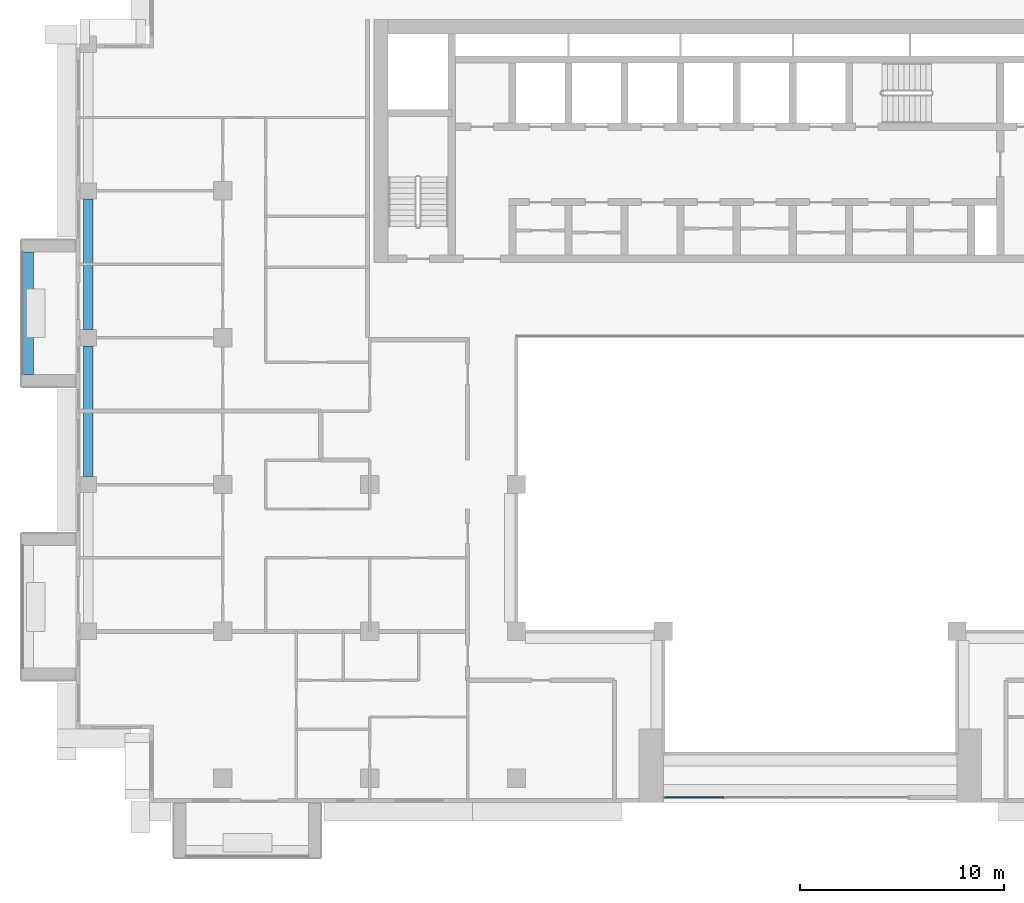
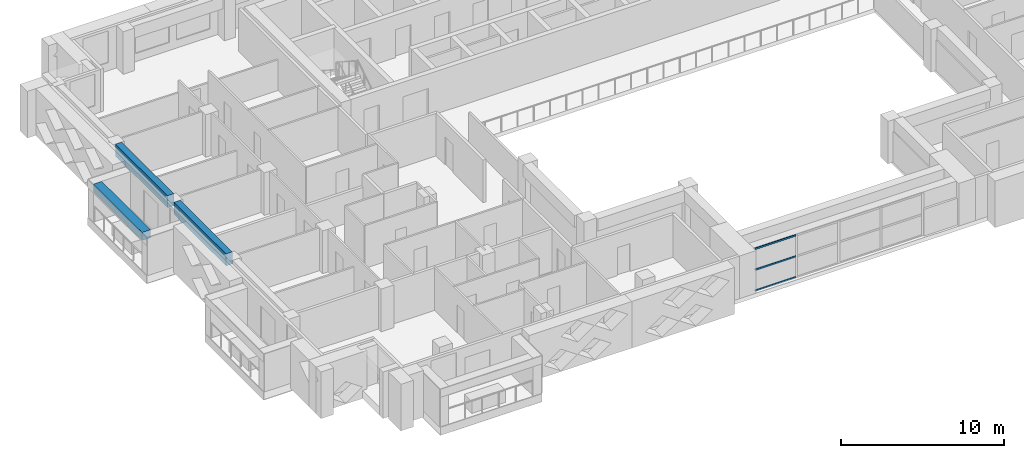
# One storey, part 3 of 20: 3 beams, 3 members, 1 element without a shape of its own.
"""IFC4 building model written with IfcOpenShell, lengths in metres."""

from ifc_helpers import new_model, si_unit, direction, frame, origin, origin_2d, place, context, subcontext, project, spatial, rectangle, extrude, source, transform, mapped, material, layer, layer_set, material_profile, profile_set, type_object, element, aggregate, save


model = new_model("IFC4")

# Units and contexts
model_context = context("Model", 3, precision=1e-05, world=origin(), true_north=direction((0.0, 1.0)))
body_context = subcontext(model_context, "Body", "Model", "MODEL_VIEW")
ifc_project = project(units=[si_unit("LENGTHUNIT", "METRE"), si_unit("AREAUNIT", "SQUARE_METRE"), si_unit("VOLUMEUNIT", "CUBIC_METRE"), si_unit("PLANEANGLEUNIT", "RADIAN"), si_unit("MASSUNIT", "GRAM", prefix="KILO")], contexts=[model_context])

# Site, building, storey
site_placement = place(None, origin())
site = spatial("IfcSite", under=ifc_project, at=site_placement, CompositionType="ELEMENT")
building_placement = place(site_placement, origin())
building = spatial("IfcBuilding", under=site, at=building_placement, Name="Saffron Iwan Residences", CompositionType="ELEMENT")
storey_placement = place(building_placement, frame((0.0, 0.0, 192.0)))
storey = spatial("IfcBuildingStorey", under=building, at=storey_placement, Name="L51", CompositionType="ELEMENT", Elevation=192.0)

# Beams
ifc_material_1 = material(Name="Concrete C50/60", Category="concrete")
ifc_material_profile_1 = material_profile(ifc_material_1, rectangle(XDim=0.449951171875, YDim=0.89990234375, at=origin_2d()), Name="RC 450x900")
ifc_profile_set_1 = profile_set([ifc_material_profile_1], Name="Concrete C50/60")
beam_type_1 = type_object("IfcBeamType", Name="SPANDREL BEAM RC 450x900 C50/60 TOP 3200", PredefinedType="SPANDREL", material=ifc_profile_set_1)
shared_shape_1 = source(origin(), body_context, "Body", "SweptSolid", [
    extrude(rectangle(XDim=0.449951171875, YDim=0.89990234375, at=origin_2d()), origin(), (0.0, 0.0, 1.0), 6.39990234375),
])
for number, where, z_axis, x_axis, name in (
    (1, (15.0, 55.60009765625, 2.75), (0.0, 1.0, 0.0), (-1.0, 0.0, 0.0), "Spandrel beam"),
    (2, (15.0, 62.800048828125, 2.75), (0.0, 1.0, 0.0), (-1.0, 0.0, 0.0), "Spandrel beam"),
):
    element("IfcBeam", number, at=place(storey_placement, frame(where, z_axis=z_axis, x_axis=x_axis)), inside=storey, type_object=beam_type_1, Name=name, PredefinedType="SPANDREL", context=body_context, shape_type="MappedRepresentation", body=[
        mapped(shared_shape_1, transform((0.0, 0.0, 0.0))),
    ])

# Curtain wall, members
ifc_material_2 = material(Name="Clear glass, laminated double glazed", Category="glass")
ifc_layer = layer(ifc_material_2, 0.199951171875)
ifc_layer_set = layer_set([ifc_layer], Name="Clear glass, laminated double glazed")
curtain_wall_type = type_object("IfcCurtainWallType", Name="CW-B IWAN PORTAL", PredefinedType="NOTDEFINED", material=ifc_layer_set)
curtain_wall_placement = place(storey_placement, origin())
curtain_wall = element("IfcCurtainWall", 3, at=curtain_wall_placement, inside=storey, type_object=curtain_wall_type, Name="Iwan portal glazing L51.1", PredefinedType="NOTDEFINED")
ifc_material_3 = material(Name="Aluminium 6063-T6", Category="aluminium")
ifc_material_profile_2 = material_profile(ifc_material_3, rectangle(XDim=0.06005859375, YDim=0.1201171875, at=origin_2d()), Name="CW-B TRANSOM 60 x 120")
ifc_profile_set_2 = profile_set([ifc_material_profile_2], Name="Aluminium 6063-T6")
member_type = type_object("IfcMemberType", Name="CW-B TRANSOM 60 x 120", PredefinedType="USERDEFINED", material=ifc_profile_set_2)
shared_shape_2 = source(origin(), body_context, "Body", "SweptSolid", [
    extrude(rectangle(XDim=0.06005859375, YDim=0.1201171875, at=origin_2d()), origin(), (0.0, 0.0, 1.0), 2.909912109375),
])
member_1_placement = place(storey_placement, frame((43.260009765625, 39.85009765625, 0.030029296875), z_axis=(1.0, 0.0, 0.0), x_axis=(0.0, 1.0, 0.0)))
member_1 = element("IfcMember", 4, at=member_1_placement, type_object=member_type, Name="CW-B transom 1.1", ObjectType="TRANSOM", PredefinedType="USERDEFINED", context=body_context, shape_type="MappedRepresentation", body=[
    mapped(shared_shape_2, transform((0.0, 0.0, 0.0))),
])
member_2_placement = place(storey_placement, frame((43.260009765625, 39.85009765625, 1.60009765625), z_axis=(1.0, 0.0, 0.0), x_axis=(0.0, 1.0, 0.0)))
member_2 = element("IfcMember", 5, at=member_2_placement, type_object=member_type, Name="CW-B transom 1.2", ObjectType="TRANSOM", PredefinedType="USERDEFINED", context=body_context, shape_type="MappedRepresentation", body=[
    mapped(shared_shape_2, transform((0.0, 0.0, 0.0))),
])
member_3_placement = place(storey_placement, frame((43.260009765625, 39.85009765625, 3.169921875), z_axis=(1.0, 0.0, 0.0), x_axis=(0.0, 1.0, 0.0)))
member_3 = element("IfcMember", 6, at=member_3_placement, type_object=member_type, Name="CW-B transom 1.3", ObjectType="TRANSOM", PredefinedType="USERDEFINED", context=body_context, shape_type="MappedRepresentation", body=[
    mapped(shared_shape_2, transform((0.0, 0.0, 0.0))),
])
aggregate(curtain_wall, [member_1, member_2, member_3])

# Beam
ifc_material_4 = material(Name="Concrete C50/60 white painted", Category="concrete")
ifc_material_profile_3 = material_profile(ifc_material_4, rectangle(XDim=0.60009765625, YDim=0.60009765625, at=origin_2d()), Name="BALCONY FASCIA BEAM 600 x 600")
ifc_profile_set_3 = profile_set([ifc_material_profile_3], Name="Concrete C50/60 white painted")
beam_type_2 = type_object("IfcBeamType", Name="BALCONY FASCIA BEAM 600 x 600", PredefinedType="BEAM", material=ifc_profile_set_3)
shared_shape_3 = source(origin(), body_context, "Body", "SweptSolid", [
    extrude(rectangle(XDim=0.60009765625, YDim=0.60009765625, at=origin_2d()), origin(), (0.0, 0.0, 1.0), 6.0),
])
beam_placement = place(storey_placement, frame((12.0, 66.60009765625, 2.550048828125), z_axis=(0.0, -1.0, 0.0), x_axis=(1.0, 0.0, 0.0)))
element("IfcBeam", 7, at=beam_placement, inside=storey, type_object=beam_type_2, Name="Balcony fascia beam L51 F8-0", PredefinedType="BEAM", context=body_context, shape_type="MappedRepresentation", body=[
    mapped(shared_shape_3, transform((0.0, 0.0, 0.0))),
])

save(model, "model.ifc")
